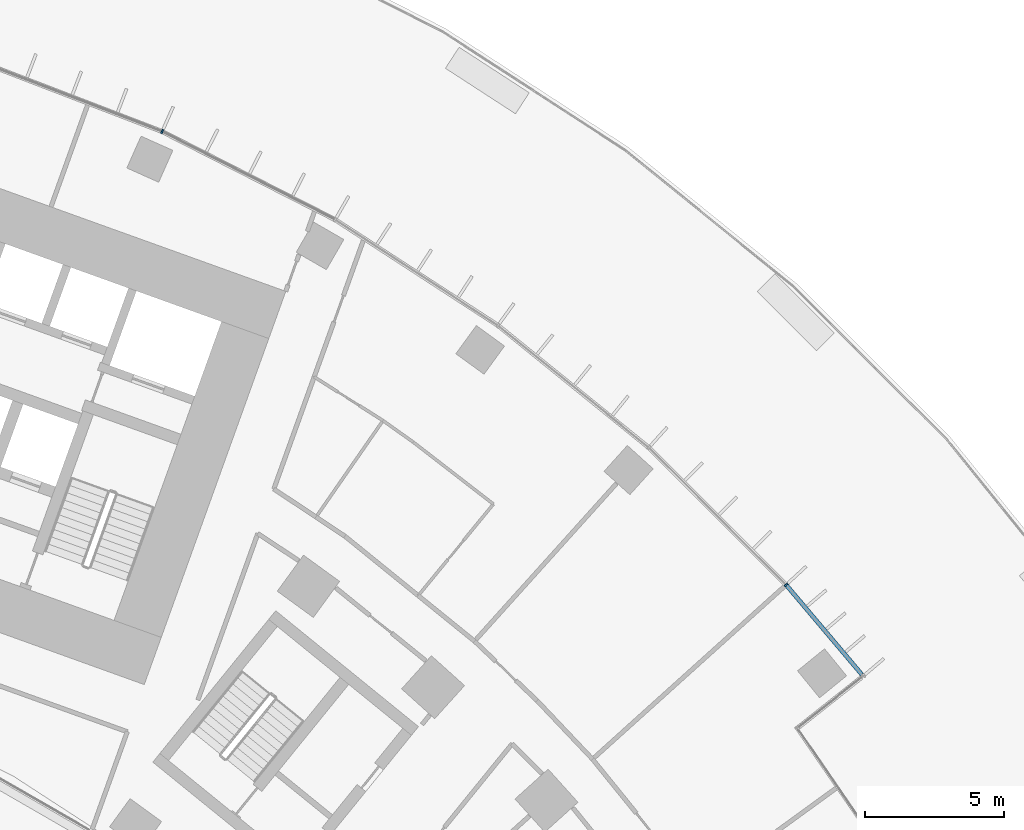
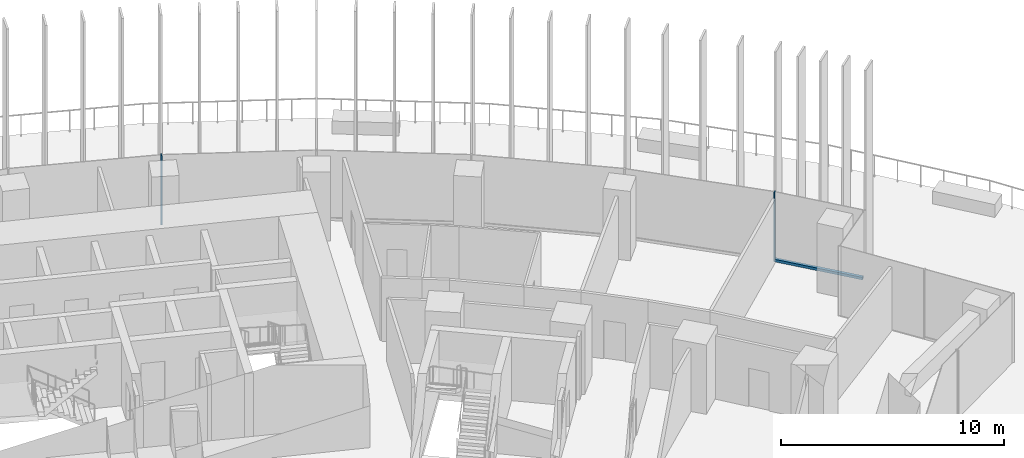
# One storey, part 9 of 24: 3 members, 1 element without a shape of its own.
"""IFC4 building model written with IfcOpenShell, lengths in metres."""

from ifc_helpers import new_model, si_unit, direction, frame, origin, origin_2d, place, context, subcontext, project, spatial, rectangle, extrude, material, layer, layer_set, material_profile, profile_set, type_object, element, aggregate, save


model = new_model("IFC4")

# Units and contexts
model_context = context("Model", 3, precision=1e-05, world=origin(), true_north=direction((0.0, 1.0)))
body_context = subcontext(model_context, "Body", "Model", "MODEL_VIEW")
ifc_project = project(units=[si_unit("LENGTHUNIT", "METRE"), si_unit("AREAUNIT", "SQUARE_METRE"), si_unit("VOLUMEUNIT", "CUBIC_METRE"), si_unit("PLANEANGLEUNIT", "RADIAN"), si_unit("MASSUNIT", "GRAM", prefix="KILO")], contexts=[model_context])

# Site, building, storey
site_placement = place(None, origin())
site = spatial("IfcSite", under=ifc_project, at=site_placement, CompositionType="ELEMENT")
building_placement = place(site_placement, origin())
building = spatial("IfcBuilding", under=site, at=building_placement, Name="Stone Belt Terrace Tower", CompositionType="ELEMENT")
storey_placement = place(building_placement, frame((0.0, 0.0, 30.0)))
storey = spatial("IfcBuildingStorey", under=building, at=storey_placement, Name="L06", CompositionType="ELEMENT", Elevation=30.0)

# Curtain wall, members
ifc_material = material(Name="Aluminium 6063-T6 anodised frame", Category="aluminium")
ifc_layer = layer(ifc_material, 0.14990234375)
ifc_layer_set = layer_set([ifc_layer], Name="CW-A unitised convex-face curtain wall")
curtain_wall_type = type_object("IfcCurtainWallType", Name="CW-A unitised convex-face curtain wall", PredefinedType="NOTDEFINED", material=ifc_layer_set)
curtain_wall_placement = place(storey_placement, origin())
curtain_wall = element("IfcCurtainWall", 1, at=curtain_wall_placement, inside=storey, type_object=curtain_wall_type, Name="CW-A convex face L06", PredefinedType="NOTDEFINED")
ifc_material_profile_1 = material_profile(ifc_material, rectangle(XDim=0.14990234375, YDim=0.06005859375, at=origin_2d()), Name="Aluminium 6063-T6 60x150")
ifc_profile_set_1 = profile_set([ifc_material_profile_1], Name="Aluminium 6063-T6 anodised frame")
member_type_1 = type_object("IfcMemberType", Name="CW-A mullion 60 x 150", PredefinedType="MULLION", material=ifc_profile_set_1)
member_1_placement = place(storey_placement, frame((49.474365234375, 44.548095703125, 0.0), z_axis=(0.0, 0.0, 1.0), x_axis=(-0.73617076011, -0.676795842155, 0.0)))
member_1 = element("IfcMember", 2, at=member_1_placement, type_object=member_type_1, Name="CW-A mullion 2", PredefinedType="MULLION", context=body_context, shape_type="SweptSolid", body=[
    extrude(rectangle(XDim=0.14990234375, YDim=0.06005859375, at=origin_2d()), origin(), (0.0, 0.0, 1.0), 3.800048828125),
])
member_2_placement = place(storey_placement, frame((27.07861328125, 60.8193359375, 0.0), z_axis=(0.0, 0.0, 1.0), x_axis=(-0.406736643076, -0.913545457643, 0.0)))
member_2 = element("IfcMember", 3, at=member_2_placement, type_object=member_type_1, Name="CW-A mullion 6", PredefinedType="MULLION", context=body_context, shape_type="SweptSolid", body=[
    extrude(rectangle(XDim=0.14990234375, YDim=0.06005859375, at=origin_2d()), origin(), (0.0, 0.0, 1.0), 3.800048828125),
])
ifc_material_profile_2 = material_profile(ifc_material, rectangle(XDim=0.14990234375, YDim=0.139892578125, at=origin_2d()), Name="Aluminium 6063-T6 150x140")
ifc_profile_set_2 = profile_set([ifc_material_profile_2], Name="Aluminium 6063-T6 anodised frame")
member_type_2 = type_object("IfcMemberType", Name="CW-A transom 140 x 150", PredefinedType="USERDEFINED", material=ifc_profile_set_2)
member_3_placement = place(storey_placement, frame((52.192626953125, 41.330078125, 0.070068359375), z_axis=(-0.645289935316, 0.763937758839, 0.0), x_axis=(-0.763937758839, -0.645289935316, 0.0)))
member_3 = element("IfcMember", 4, at=member_3_placement, type_object=member_type_2, Name="CW-A transom 1.1", ObjectType="TRANSOM", PredefinedType="USERDEFINED", context=body_context, shape_type="SweptSolid", body=[
    extrude(rectangle(XDim=0.14990234375, YDim=0.139892578125, at=origin_2d()), origin(), (0.0, 0.0, 1.0), 4.17919921875),
])
aggregate(curtain_wall, [member_1, member_2, member_3])

save(model, "model.ifc")
